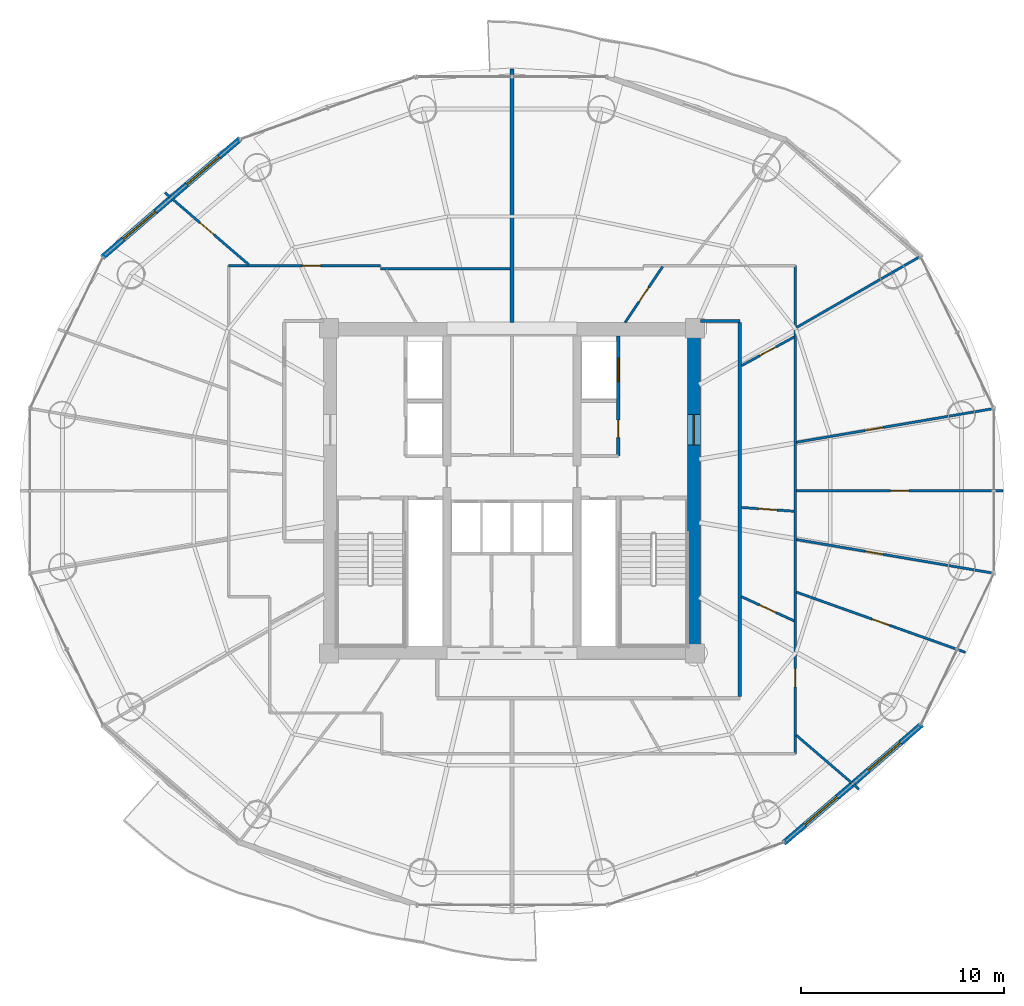
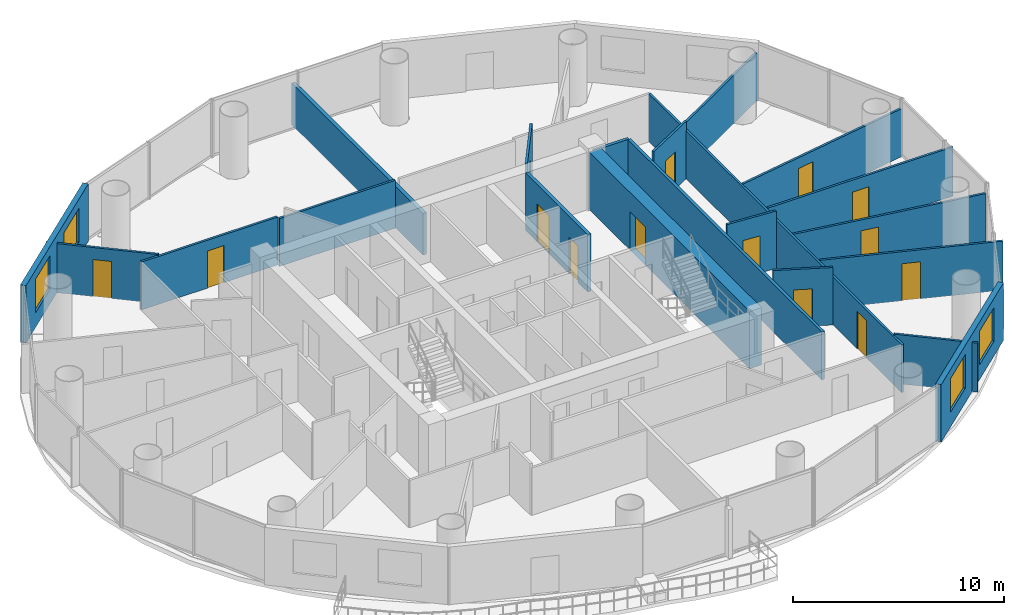
# One storey, part 22 of 26: 21 walls, 14 doors, 4 windows, 18 openings.
"""IFC4 building model written with IfcOpenShell, lengths in metres."""

from ifc_helpers import new_model, si_unit, direction, frame, frame_2d, origin, place, context, subcontext, project, spatial, rectangle, extrude, source, transform, mapped, material, layer, layer_set, type_object, element, fill, save


model = new_model("IFC4")

# Units and contexts
model_context = context("Model", 3, precision=1e-05, world=origin(), true_north=direction((-0.2419218956, 0.970295726276)))
body_context = subcontext(model_context, "Body", "Model", "MODEL_VIEW")
ifc_project = project(units=[si_unit("LENGTHUNIT", "METRE"), si_unit("AREAUNIT", "SQUARE_METRE"), si_unit("VOLUMEUNIT", "CUBIC_METRE"), si_unit("PLANEANGLEUNIT", "RADIAN"), si_unit("MASSUNIT", "GRAM", prefix="KILO")], contexts=[model_context])

# Site, building, storey
site_placement = place(None, origin())
site = spatial("IfcSite", under=ifc_project, at=site_placement, CompositionType="ELEMENT")
building_placement = place(site_placement, origin())
building = spatial("IfcBuilding", under=site, at=building_placement, Name="Cobrevalo Terracotta Tower", CompositionType="ELEMENT")
storey_placement = place(building_placement, frame((0.0, 0.0, 175.0)))
storey = spatial("IfcBuildingStorey", under=building, at=storey_placement, Name="L46", CompositionType="ELEMENT", Elevation=175.0)

# Wall, opening, door
ifc_material_1 = material(Name="Concrete C55", Category="concrete")
ifc_layer_1 = layer(ifc_material_1, 0.64990234375)
ifc_layer_set_1 = layer_set([ifc_layer_1], Name="Concrete C55")
wall_type_1 = type_object("IfcWallType", Name="Core shear wall 650 mm Concrete C55", PredefinedType="SHEAR", material=ifc_layer_set_1)
wall_1_placement = place(storey_placement, frame((46.949951171875, 19.175048828125, 0.0), z_axis=(0.0, 0.0, 1.0), x_axis=(0.0, 1.0, 0.0)))
wall_1 = element("IfcWall", 1, at=wall_1_placement, inside=storey, type_object=wall_type_1, Name="L46 east core shear wall", PredefinedType="SHEAR", context=body_context, shape_type="SweptSolid", body=[
    extrude(rectangle(XDim=15.25, YDim=0.64990234375, at=frame_2d((7.625, 0.0))), origin(), (0.0, 0.0, 1.0), 3.330078125),
])
opening_1_placement = place(wall_1_placement, frame((9.875, 0.0, 0.0)))
opening_1 = element("IfcOpeningElement", 2, at=opening_1_placement, cuts=wall_1, Name="Opening ID-14", PredefinedType="OPENING", context=body_context, shape_type="SweptSolid", body=[
    extrude(rectangle(XDim=1.5, YDim=2.199951171875, at=frame_2d((0.75, 1.10009765625))), frame((0.0, 0.3349609375, 0.0), z_axis=(0.0, -1.0, 0.0), x_axis=(1.0, 0.0, 0.0)), (0.0, 0.0, 1.0), 0.669921875),
])
ifc_material_2 = material(Name="Galvanized fire-rated steel", Category="steel")
door_type_1 = type_object("IfcDoorType", Name="Core cross-lobby double fire door 1500x2200 EI 90", OperationType="NOTDEFINED", PredefinedType="DOOR", material=ifc_material_2)
shared_shape_1 = source(origin(), body_context, "Body", "SweptSolid", [
    extrude(rectangle(XDim=1.5, YDim=2.199951171875, at=frame_2d((0.75, 1.10009765625))), frame((0.0, 0.02490234375, 0.0), z_axis=(0.0, -1.0, 0.0), x_axis=(1.0, 0.0, 0.0)), (0.0, 0.0, 1.0), 0.050048828125),
])
door_1_placement = place(opening_1_placement, frame((1.5, 0.0, 0.0), z_axis=(0.0, 0.0, 1.0), x_axis=(-1.0, 0.0, 0.0)))
door_1 = element("IfcDoor", 3, at=door_1_placement, inside=storey, type_object=door_type_1, Name="L46 east firefighting lobby entrance door", OperationType="DOUBLE_DOOR_SINGLE_SWING", OverallHeight=2.199951171875, OverallWidth=1.5, PredefinedType="DOOR", context=body_context, shape_type="MappedRepresentation", body=[
    mapped(shared_shape_1, transform((0.0, 0.0, 0.0), scale=1.0)),
])
fill(opening_1, door_1)

# Walls
ifc_material_3 = material(Name="Gypsum board on steel stud", Category="steel")
ifc_layer_2 = layer(ifc_material_3, 0.159912109375)
ifc_layer_set_2 = layer_set([ifc_layer_2], Name="Gypsum board on steel stud")
wall_type_2 = type_object("IfcWallType", Name="Fire-rated corridor acoustic partition wall 160 mm", PredefinedType="PARTITIONING", material=ifc_layer_set_2)
wall_2_placement = place(storey_placement, frame((49.205078125, 16.675048828125, 0.0), z_axis=(0.0, 0.0, 1.0), x_axis=(0.0, 1.0, 0.0)))
element("IfcWall", 4, at=wall_2_placement, inside=storey, type_object=wall_type_2, Name="L46 interior partition IW-L46-COR-E", PredefinedType="PARTITIONING", context=body_context, shape_type="SweptSolid", body=[
    extrude(rectangle(XDim=18.39990234375, YDim=0.159912109375, at=frame_2d((9.199951171875, 0.0))), origin(), (0.0, 0.0, 1.0), 2.77587890625),
])
wall_3_placement = place(storey_placement, frame((47.27490234375, 35.155029296875, 0.0), z_axis=(0.0, 0.0, 1.0), x_axis=(1.0, 0.0, 0.0)))
element("IfcWall", 5, at=wall_3_placement, inside=storey, type_object=wall_type_2, Name="L46 interior partition IW-L46-COR-EN-CAP", PredefinedType="PARTITIONING", context=body_context, shape_type="SweptSolid", body=[
    extrude(rectangle(XDim=1.93017578125, YDim=0.159912109375, at=frame_2d((0.965087890625, 0.0))), origin(), (0.0, 0.0, 1.0), 2.77587890625),
])

# Wall, openings, doors
ifc_layer_3 = layer(ifc_material_3, 0.179931640625)
ifc_layer_set_3 = layer_set([ifc_layer_3], Name="Gypsum board on steel stud")
wall_type_3 = type_object("IfcWallType", Name="Fire-rated shaft & lobby acoustic partition wall 180 mm", PredefinedType="PARTITIONING", material=ifc_layer_set_3)
wall_4_placement = place(storey_placement, frame((43.22998046875, 28.52001953125, 0.0), z_axis=(0.0, 0.0, 1.0), x_axis=(0.0, 1.0, 0.0)))
wall_4 = element("IfcWall", 6, at=wall_4_placement, inside=storey, type_object=wall_type_3, Name="L46 interior partition IW-L46-FF2-E", PredefinedType="PARTITIONING", context=body_context, shape_type="SweptSolid", body=[
    extrude(rectangle(XDim=5.905029296875, YDim=0.179931640625, at=frame_2d((2.95263671875, 0.0))), origin(), (0.0, 0.0, 1.0), 3.330078125),
])
opening_2_placement = place(wall_4_placement, frame((0.905029296875, 0.0, 0.0)))
opening_2 = element("IfcOpeningElement", 7, at=opening_2_placement, cuts=wall_4, Name="Opening ID-22", PredefinedType="OPENING", context=body_context, shape_type="SweptSolid", body=[
    extrude(rectangle(XDim=0.85009765625, YDim=2.10009765625, at=frame_2d((0.425048828125, 1.050048828125))), frame((0.0, 0.10009765625, 0.0), z_axis=(0.0, -1.0, 0.0), x_axis=(1.0, 0.0, 0.0)), (0.0, 0.0, 1.0), 0.199951171875),
])
opening_3_placement = place(wall_4_placement, frame((3.655029296875, 0.0, 0.0)))
opening_3 = element("IfcOpeningElement", 8, at=opening_3_placement, cuts=wall_4, Name="Opening LD-02", PredefinedType="OPENING", context=body_context, shape_type="SweptSolid", body=[
    extrude(rectangle(XDim=1.14990234375, YDim=2.199951171875, at=frame_2d((0.574951171875, 1.10009765625))), frame((0.0, 0.10009765625, 0.0), z_axis=(0.0, -1.0, 0.0), x_axis=(1.0, 0.0, 0.0)), (0.0, 0.0, 1.0), 0.199951171875),
])
ifc_material_4 = material(Name="Powder-coated steel", Category="steel")
door_type_2 = type_object("IfcDoorType", Name="Riser shaft & meter closet fire access door 850x2100 EI 60", OperationType="NOTDEFINED", PredefinedType="DOOR", material=ifc_material_4)
shared_shape_2 = source(origin(), body_context, "Body", "SweptSolid", [
    extrude(rectangle(XDim=0.85009765625, YDim=2.10009765625, at=frame_2d((0.425048828125, 1.050048828125))), frame((0.0, 0.02490234375, 0.0), z_axis=(0.0, -1.0, 0.0), x_axis=(1.0, 0.0, 0.0)), (0.0, 0.0, 1.0), 0.050048828125),
])
door_2_placement = place(opening_2_placement, frame((0.85009765625, 0.0, 0.0), z_axis=(0.0, 0.0, 1.0), x_axis=(-1.0, 0.0, 0.0)))
door_2 = element("IfcDoor", 9, at=door_2_placement, inside=storey, type_object=door_type_2, Name="L46 housekeeping store door", OperationType="SINGLE_SWING_RIGHT", OverallHeight=2.10009765625, OverallWidth=0.85009765625, PredefinedType="DOOR", context=body_context, shape_type="MappedRepresentation", body=[
    mapped(shared_shape_2, transform((0.0, 0.0, 0.0), scale=1.0)),
])
fill(opening_2, door_2)
ifc_material_5 = material(Name="Brushed stainless steel", Category="steel")
door_type_3 = type_object("IfcDoorType", Name="Firefighting lift landing bi-parting sliding door 1150x2200 EI 120", OperationType="DOUBLE_DOOR_SLIDING", PredefinedType="DOOR", material=ifc_material_5)
shared_shape_3 = source(origin(), body_context, "Body", "SweptSolid", [
    extrude(rectangle(XDim=1.14990234375, YDim=2.199951171875, at=frame_2d((0.574951171875, 1.10009765625))), frame((0.0, 0.02490234375, 0.0), z_axis=(0.0, -1.0, 0.0), x_axis=(1.0, 0.0, 0.0)), (0.0, 0.0, 1.0), 0.050048828125),
])
door_3_placement = place(opening_3_placement, origin())
door_3 = element("IfcDoor", 10, at=door_3_placement, inside=storey, type_object=door_type_3, Name="L46 lift landing door FF-2", OperationType="DOUBLE_DOOR_SLIDING", OverallHeight=2.199951171875, OverallWidth=1.14990234375, PredefinedType="DOOR", context=body_context, shape_type="MappedRepresentation", body=[
    mapped(shared_shape_3, transform((0.0, 0.0, 0.0), scale=1.0)),
])
fill(opening_3, door_3)

# Wall
ifc_material_6 = material(Name="Autoclaved aerated concrete block", Category="concrete")
ifc_layer_4 = layer(ifc_material_6, 0.199951171875)
ifc_layer_set_4 = layer_set([ifc_layer_4], Name="Autoclaved aerated concrete block")
wall_type_4 = type_object("IfcWallType", Name="Fire-rated stair, shaft & demising masonry wall 200 mm", PredefinedType="PARTITIONING", material=ifc_layer_set_4)
wall_5_placement = place(storey_placement, frame((38.0, 35.074951171875, 0.0), z_axis=(0.0, 0.0, 1.0), x_axis=(0.0, 1.0, 0.0)))
element("IfcWall", 11, at=wall_5_placement, inside=storey, type_object=wall_type_4, Name="L46 interior partition IW-L46-DEM-1", PredefinedType="PARTITIONING", context=body_context, shape_type="SweptSolid", body=[
    extrude(rectangle(XDim=12.465087890625, YDim=0.199951171875, at=frame_2d((6.232421875, 0.0))), origin(), (0.0, 0.0, 1.0), 2.4150390625),
])

# Wall, openings, windows
ifc_layer_5 = layer(ifc_material_6, 0.280029296875)
ifc_layer_set_5 = layer_set([ifc_layer_5], Name="Autoclaved aerated concrete block")
wall_type_5 = type_object("IfcWallType", Name="Insulated tower spandrel & pier wall 280 mm with terracotta rainscreen", PredefinedType="SOLIDWALL", material=ifc_layer_set_5)
wall_6_placement = place(storey_placement, frame((24.632568359375, 44.121826171875, 0.0), z_axis=(0.0, 0.0, 1.0), x_axis=(-0.75843401647, -0.651749831348, 0.0)))
wall_6 = element("IfcWall", 12, at=wall_6_placement, inside=storey, type_object=wall_type_5, Name="L46 terracotta rainscreen pier wall S06", PredefinedType="SOLIDWALL", context=body_context, shape_type="SweptSolid", body=[
    extrude(rectangle(XDim=8.952392578125, YDim=0.280029296875, at=frame_2d((4.47607421875, 0.0))), origin(), (0.0, 0.0, 1.0), 3.330078125),
])
opening_4_placement = place(wall_6_placement, frame((1.3671875, 0.0, 0.85009765625)))
opening_4 = element("IfcOpeningElement", 13, at=opening_4_placement, cuts=wall_6, Name="Opening WN-10", PredefinedType="OPENING", context=body_context, shape_type="SweptSolid", body=[
    extrude(rectangle(XDim=2.10009765625, YDim=1.949951171875, at=frame_2d((1.050048828125, 0.97509765625))), frame((0.0, 0.14990234375, 0.0), z_axis=(0.0, -1.0, 0.0), x_axis=(1.0, 0.0, 0.0)), (0.0, 0.0, 1.0), 0.300048828125),
])
opening_5_placement = place(wall_6_placement, frame((5.4853515625, 0.0, 0.85009765625)))
opening_5 = element("IfcOpeningElement", 14, at=opening_5_placement, cuts=wall_6, Name="Opening WN-10", PredefinedType="OPENING", context=body_context, shape_type="SweptSolid", body=[
    extrude(rectangle(XDim=2.10009765625, YDim=1.949951171875, at=frame_2d((1.050048828125, 0.97509765625))), frame((0.0, 0.14990234375, 0.0), z_axis=(0.0, -1.0, 0.0), x_axis=(1.0, 0.0, 0.0)), (0.0, 0.0, 1.0), 0.300048828125),
])
ifc_material_7 = material(Name="Solar-control low-E double glazing", Category="glass")
window_type = type_object("IfcWindowType", Name="Wide panoramic low-E aluminium window 2100x1950", PartitioningType="SINGLE_PANEL", PredefinedType="WINDOW", material=ifc_material_7)
shared_shape_4 = source(origin(), body_context, "Body", "SweptSolid", [
    extrude(rectangle(XDim=2.10009765625, YDim=1.949951171875, at=frame_2d((1.050048828125, 0.97509765625))), frame((0.0, 0.030029296875, 0.0), z_axis=(0.0, -1.0, 0.0), x_axis=(1.0, 0.0, 0.0)), (0.0, 0.0, 1.0), 0.06005859375),
])
window_1_placement = place(opening_4_placement, origin())
window_1 = element("IfcWindow", 15, at=window_1_placement, inside=storey, type_object=window_type, Name="L46 suite window S06A", OverallHeight=1.949951171875, OverallWidth=2.10009765625, PartitioningType="SINGLE_PANEL", PredefinedType="WINDOW", context=body_context, shape_type="MappedRepresentation", body=[
    mapped(shared_shape_4, transform((0.0, 0.0, 0.0), scale=1.0)),
])
fill(opening_4, window_1)
window_2_placement = place(opening_5_placement, origin())
window_2 = element("IfcWindow", 16, at=window_2_placement, inside=storey, type_object=window_type, Name="L46 suite window S06B", OverallHeight=1.949951171875, OverallWidth=2.10009765625, PartitioningType="SINGLE_PANEL", PredefinedType="WINDOW", context=body_context, shape_type="MappedRepresentation", body=[
    mapped(shared_shape_4, transform((0.0, 0.0, 0.0), scale=1.0)),
])
fill(opening_5, window_2)

wall_7_placement = place(storey_placement, frame((51.367431640625, 9.478271484375, 0.0), z_axis=(0.0, 0.0, 1.0), x_axis=(0.75843401647, 0.651749831348, 0.0)))
wall_7 = element("IfcWall", 17, at=wall_7_placement, inside=storey, type_object=wall_type_5, Name="L46 terracotta rainscreen pier wall S14", PredefinedType="SOLIDWALL", context=body_context, shape_type="SweptSolid", body=[
    extrude(rectangle(XDim=8.952392578125, YDim=0.280029296875, at=frame_2d((4.47607421875, 0.0))), origin(), (0.0, 0.0, 1.0), 3.330078125),
])
opening_6_placement = place(wall_7_placement, frame((1.3671875, 0.0, 0.85009765625)))
opening_6 = element("IfcOpeningElement", 18, at=opening_6_placement, cuts=wall_7, Name="Opening WN-10", PredefinedType="OPENING", context=body_context, shape_type="SweptSolid", body=[
    extrude(rectangle(XDim=2.10009765625, YDim=1.949951171875, at=frame_2d((1.050048828125, 0.97509765625))), frame((0.0, 0.14990234375, 0.0), z_axis=(0.0, -1.0, 0.0), x_axis=(1.0, 0.0, 0.0)), (0.0, 0.0, 1.0), 0.300048828125),
])
opening_7_placement = place(wall_7_placement, frame((5.4853515625, 0.0, 0.85009765625)))
opening_7 = element("IfcOpeningElement", 19, at=opening_7_placement, cuts=wall_7, Name="Opening WN-10", PredefinedType="OPENING", context=body_context, shape_type="SweptSolid", body=[
    extrude(rectangle(XDim=2.10009765625, YDim=1.949951171875, at=frame_2d((1.050048828125, 0.97509765625))), frame((0.0, 0.14990234375, 0.0), z_axis=(0.0, -1.0, 0.0), x_axis=(1.0, 0.0, 0.0)), (0.0, 0.0, 1.0), 0.300048828125),
])
window_3_placement = place(opening_6_placement, origin())
window_3 = element("IfcWindow", 20, at=window_3_placement, inside=storey, type_object=window_type, Name="L46 suite window S14A", OverallHeight=1.949951171875, OverallWidth=2.10009765625, PartitioningType="SINGLE_PANEL", PredefinedType="WINDOW", context=body_context, shape_type="MappedRepresentation", body=[
    mapped(shared_shape_4, transform((0.0, 0.0, 0.0), scale=1.0)),
])
fill(opening_6, window_3)
window_4_placement = place(opening_7_placement, origin())
window_4 = element("IfcWindow", 21, at=window_4_placement, inside=storey, type_object=window_type, Name="L46 suite window S14B", OverallHeight=1.949951171875, OverallWidth=2.10009765625, PartitioningType="SINGLE_PANEL", PredefinedType="WINDOW", context=body_context, shape_type="MappedRepresentation", body=[
    mapped(shared_shape_4, transform((0.0, 0.0, 0.0), scale=1.0)),
])
fill(opening_7, window_4)

# Wall, opening, door
ifc_layer_6 = layer(ifc_material_3, 0.1201171875)
ifc_layer_set_6 = layer_set([ifc_layer_6], Name="Gypsum board on steel stud")
wall_type_6 = type_object("IfcWallType", Name="Residential internal acoustic stud partition 120 mm", PredefinedType="PARTITIONING", material=ifc_layer_set_6)
wall_8_placement = place(storey_placement, frame((24.06494140625, 37.885009765625, 0.0), z_axis=(0.0, 0.0, 1.0), x_axis=(1.0, 0.0, 0.0)))
wall_8 = element("IfcWall", 22, at=wall_8_placement, inside=storey, type_object=wall_type_6, Name="L46 interior partition IW-L46-U1-RING6_0", PredefinedType="PARTITIONING", context=body_context, shape_type="SweptSolid", body=[
    extrude(rectangle(XDim=7.469970703125, YDim=0.1201171875, at=frame_2d((3.73486328125, 0.0))), origin(), (0.0, 0.0, 1.0), 2.77587890625),
])
opening_8_placement = place(wall_8_placement, frame((3.619873046875, 0.0, 0.0)))
opening_8 = element("IfcOpeningElement", 23, at=opening_8_placement, cuts=wall_8, Name="Opening ID-12", PredefinedType="OPENING", context=body_context, shape_type="SweptSolid", body=[
    extrude(rectangle(XDim=0.89990234375, YDim=2.14990234375, at=frame_2d((0.449951171875, 1.074951171875))), frame((0.0, 0.070068359375, 0.0), z_axis=(0.0, -1.0, 0.0), x_axis=(1.0, 0.0, 0.0)), (0.0, 0.0, 1.0), 0.14013671875),
])
ifc_material_8 = material(Name="Engineered timber", Category="wood")
door_type_4 = type_object("IfcDoorType", Name="Internal residence & suite timber door 900x2150", OperationType="NOTDEFINED", PredefinedType="DOOR", material=ifc_material_8)
shared_shape_5 = source(origin(), body_context, "Body", "SweptSolid", [
    extrude(rectangle(XDim=0.89990234375, YDim=2.14990234375, at=frame_2d((0.449951171875, 1.074951171875))), frame((0.0, 0.02490234375, 0.0), z_axis=(0.0, -1.0, 0.0), x_axis=(1.0, 0.0, 0.0)), (0.0, 0.0, 1.0), 0.050048828125),
])
door_4_placement = place(opening_8_placement, origin())
door_4 = element("IfcDoor", 24, at=door_4_placement, inside=storey, type_object=door_type_4, Name="Flat L46A Penthouse Living and Dining Room internal door", OperationType="SINGLE_SWING_LEFT", OverallHeight=2.14990234375, OverallWidth=0.89990234375, PredefinedType="DOOR", context=body_context, shape_type="MappedRepresentation", body=[
    mapped(shared_shape_5, transform((0.0, 0.0, 0.0), scale=1.0)),
])
fill(opening_8, door_4)

# Wall
wall_9_placement = place(storey_placement, frame((31.534912109375, 37.72509765625, 0.0), z_axis=(0.0, 0.0, 1.0), x_axis=(1.0, 0.0, 0.0)))
element("IfcWall", 25, at=wall_9_placement, inside=storey, type_object=wall_type_6, Name="L46 interior partition IW-L46-U1-RING8_0", PredefinedType="PARTITIONING", context=body_context, shape_type="SweptSolid", body=[
    extrude(rectangle(XDim=6.363037109375, YDim=0.1201171875, at=frame_2d((3.181640625, 0.0))), origin(), (0.0, 0.0, 1.0), 2.77587890625),
])

# Wall, opening, door
wall_10_placement = place(storey_placement, frame((25.055908203125, 37.92529296875, 0.0), z_axis=(0.0, 0.0, 1.0), x_axis=(-0.758354915574, 0.65184186888, 0.0)))
wall_10 = element("IfcWall", 26, at=wall_10_placement, inside=storey, type_object=wall_type_6, Name="L46 interior partition IW-L46-U1-ORAD1", PredefinedType="PARTITIONING", context=body_context, shape_type="SweptSolid", body=[
    extrude(rectangle(XDim=5.432373046875, YDim=0.1201171875, at=frame_2d((2.71630859375, 0.0))), origin(), (0.0, 0.0, 1.0), 2.845947265625),
])
opening_9_placement = place(wall_10_placement, frame((2.26611328125, 0.0, 0.0)))
opening_9 = element("IfcOpeningElement", 27, at=opening_9_placement, cuts=wall_10, Name="Opening ID-12", PredefinedType="OPENING", context=body_context, shape_type="SweptSolid", body=[
    extrude(rectangle(XDim=0.89990234375, YDim=2.14990234375, at=frame_2d((0.449951171875, 1.074951171875))), frame((0.0, 0.070068359375, 0.0), z_axis=(0.0, -1.0, 0.0), x_axis=(1.0, 0.0, 0.0)), (0.0, 0.0, 1.0), 0.14013671875),
])
door_5_placement = place(opening_9_placement, origin())
door_5 = element("IfcDoor", 28, at=door_5_placement, inside=storey, type_object=door_type_4, Name="Flat L46A Master Bedroom internal door", OperationType="SINGLE_SWING_RIGHT", OverallHeight=2.14990234375, OverallWidth=0.89990234375, PredefinedType="DOOR", context=body_context, shape_type="MappedRepresentation", body=[
    mapped(shared_shape_5, transform((0.0, 0.0, 0.0), scale=1.0)),
])
fill(opening_9, door_5)

wall_11_placement = place(storey_placement, frame((51.93505859375, 37.885009765625, 0.0), z_axis=(0.0, 0.0, 1.0), x_axis=(0.0, -1.0, 0.0)))
wall_11 = element("IfcWall", 29, at=wall_11_placement, inside=storey, type_object=wall_type_6, Name="L46 interior partition IW-L46-U2-RING3_0", PredefinedType="PARTITIONING", context=body_context, shape_type="SweptSolid", body=[
    extrude(rectangle(XDim=24.02001953125, YDim=0.1201171875, at=frame_2d((12.010009765625, 0.0))), origin(), (0.0, 0.0, 1.0), 2.77587890625),
])
opening_10_placement = place(wall_11_placement, frame((19.82080078125, 0.0, 0.0)))
opening_10 = element("IfcOpeningElement", 30, at=opening_10_placement, cuts=wall_11, Name="Opening ID-12", PredefinedType="OPENING", context=body_context, shape_type="SweptSolid", body=[
    extrude(rectangle(XDim=0.89990234375, YDim=2.14990234375, at=frame_2d((0.449951171875, 1.074951171875))), frame((0.0, 0.070068359375, 0.0), z_axis=(0.0, -1.0, 0.0), x_axis=(1.0, 0.0, 0.0)), (0.0, 0.0, 1.0), 0.14013671875),
])
door_6_placement = place(opening_10_placement, origin())
door_6 = element("IfcDoor", 31, at=door_6_placement, inside=storey, type_object=door_type_4, Name="Flat L46B Master Bedroom internal door", OperationType="SINGLE_SWING_RIGHT", OverallHeight=2.14990234375, OverallWidth=0.89990234375, PredefinedType="DOOR", context=body_context, shape_type="MappedRepresentation", body=[
    mapped(shared_shape_5, transform((0.0, 0.0, 0.0), scale=1.0)),
])
fill(opening_10, door_6)

# Wall
wall_12_placement = place(storey_placement, frame((51.98193359375, 14.782470703125, 0.0), z_axis=(0.0, 0.0, 1.0), x_axis=(0.758356837469, -0.651839632935, 0.0)))
element("IfcWall", 32, at=wall_12_placement, inside=storey, type_object=wall_type_6, Name="L46 interior partition IW-L46-U2-ORAD1", PredefinedType="PARTITIONING", context=body_context, shape_type="SweptSolid", body=[
    extrude(rectangle(XDim=4.063720703125, YDim=0.1201171875, at=frame_2d((2.03173828125, 0.0))), origin(), (0.0, 0.0, 1.0), 2.845947265625),
])

# Wall, opening, door
wall_13_placement = place(storey_placement, frame((51.993408203125, 21.818115234375, 0.0), z_axis=(0.0, 0.0, 1.0), x_axis=(0.942077868165, -0.335394231187, 0.0)))
wall_13 = element("IfcWall", 33, at=wall_13_placement, inside=storey, type_object=wall_type_6, Name="L46 interior partition IW-L46-U2-ORAD2", PredefinedType="PARTITIONING", context=body_context, shape_type="SweptSolid", body=[
    extrude(rectangle(XDim=8.816650390625, YDim=0.1201171875, at=frame_2d((4.408203125, 0.0))), origin(), (0.0, 0.0, 1.0), 2.845947265625),
])
opening_11_placement = place(wall_13_placement, frame((3.95849609375, 0.0, 0.0)))
opening_11 = element("IfcOpeningElement", 34, at=opening_11_placement, cuts=wall_13, Name="Opening ID-12", PredefinedType="OPENING", context=body_context, shape_type="SweptSolid", body=[
    extrude(rectangle(XDim=0.89990234375, YDim=2.14990234375, at=frame_2d((0.449951171875, 1.074951171875))), frame((0.0, 0.070068359375, 0.0), z_axis=(0.0, -1.0, 0.0), x_axis=(1.0, 0.0, 0.0)), (0.0, 0.0, 1.0), 0.14013671875),
])
door_7_placement = place(opening_11_placement, origin())
door_7 = element("IfcDoor", 35, at=door_7_placement, inside=storey, type_object=door_type_4, Name="Flat L46B Principal Guest Bedroom internal door", OperationType="SINGLE_SWING_LEFT", OverallHeight=2.14990234375, OverallWidth=0.89990234375, PredefinedType="DOOR", context=body_context, shape_type="MappedRepresentation", body=[
    mapped(shared_shape_5, transform((0.0, 0.0, 0.0), scale=1.0)),
])
fill(opening_11, door_7)

wall_14_placement = place(storey_placement, frame((51.99609375, 24.4072265625, 0.0), z_axis=(0.0, 0.0, 1.0), x_axis=(0.985698378271, -0.168519159369, 0.0)))
wall_14 = element("IfcWall", 36, at=wall_14_placement, inside=storey, type_object=wall_type_6, Name="L46 interior partition IW-L46-U2-ORAD3M1", PredefinedType="PARTITIONING", context=body_context, shape_type="SweptSolid", body=[
    extrude(rectangle(XDim=9.768798828125, YDim=0.1201171875, at=frame_2d((4.88427734375, 0.0))), origin(), (0.0, 0.0, 1.0), 2.77587890625),
])
opening_12_placement = place(wall_14_placement, frame((3.427734375, 0.0, 0.0)))
opening_12 = element("IfcOpeningElement", 37, at=opening_12_placement, cuts=wall_14, Name="Opening ID-12", PredefinedType="OPENING", context=body_context, shape_type="SweptSolid", body=[
    extrude(rectangle(XDim=0.89990234375, YDim=2.14990234375, at=frame_2d((0.449951171875, 1.074951171875))), frame((0.0, 0.070068359375, 0.0), z_axis=(0.0, -1.0, 0.0), x_axis=(1.0, 0.0, 0.0)), (0.0, 0.0, 1.0), 0.14013671875),
])
door_8_placement = place(opening_12_placement, origin())
door_8 = element("IfcDoor", 38, at=door_8_placement, inside=storey, type_object=door_type_4, Name="Flat L46B North Bedroom internal door", OperationType="SINGLE_SWING_RIGHT", OverallHeight=2.14990234375, OverallWidth=0.89990234375, PredefinedType="DOOR", context=body_context, shape_type="MappedRepresentation", body=[
    mapped(shared_shape_5, transform((0.0, 0.0, 0.0), scale=1.0)),
])
fill(opening_12, door_8)

wall_15_placement = place(storey_placement, frame((51.9970703125, 26.800048828125, 0.0), z_axis=(0.0, 0.0, 1.0), x_axis=(1.0, 0.0, 0.0)))
wall_15 = element("IfcWall", 39, at=wall_15_placement, inside=storey, type_object=wall_type_6, Name="L46 interior partition IW-L46-U2-ORAD3", PredefinedType="PARTITIONING", context=body_context, shape_type="SweptSolid", body=[
    extrude(rectangle(XDim=10.142822265625, YDim=0.1201171875, at=frame_2d((5.0712890625, 0.0))), origin(), (0.0, 0.0, 1.0), 2.845947265625),
])
opening_13_placement = place(wall_15_placement, frame((4.62158203125, 0.0, 0.0)))
opening_13 = element("IfcOpeningElement", 40, at=opening_13_placement, cuts=wall_15, Name="Opening ID-12", PredefinedType="OPENING", context=body_context, shape_type="SweptSolid", body=[
    extrude(rectangle(XDim=0.89990234375, YDim=2.14990234375, at=frame_2d((0.449951171875, 1.074951171875))), frame((0.0, 0.070068359375, 0.0), z_axis=(0.0, -1.0, 0.0), x_axis=(1.0, 0.0, 0.0)), (0.0, 0.0, 1.0), 0.14013671875),
])
door_9_placement = place(opening_13_placement, origin())
door_9 = element("IfcDoor", 41, at=door_9_placement, inside=storey, type_object=door_type_4, Name="Flat L46B South Bedroom internal door", OperationType="SINGLE_SWING_LEFT", OverallHeight=2.14990234375, OverallWidth=0.89990234375, PredefinedType="DOOR", context=body_context, shape_type="MappedRepresentation", body=[
    mapped(shared_shape_5, transform((0.0, 0.0, 0.0), scale=1.0)),
])
fill(opening_13, door_9)

wall_16_placement = place(storey_placement, frame((51.99609375, 29.19287109375, 0.0), z_axis=(0.0, 0.0, 1.0), x_axis=(0.985698378271, 0.168519159369, 0.0)))
wall_16 = element("IfcWall", 42, at=wall_16_placement, inside=storey, type_object=wall_type_6, Name="L46 interior partition IW-L46-U2-ORAD4M1", PredefinedType="PARTITIONING", context=body_context, shape_type="SweptSolid", body=[
    extrude(rectangle(XDim=9.768798828125, YDim=0.1201171875, at=frame_2d((4.88427734375, 0.0))), origin(), (0.0, 0.0, 1.0), 2.77587890625),
])
opening_14_placement = place(wall_16_placement, frame((3.42822265625, 0.0, 0.0)))
opening_14 = element("IfcOpeningElement", 43, at=opening_14_placement, cuts=wall_16, Name="Opening ID-12", PredefinedType="OPENING", context=body_context, shape_type="SweptSolid", body=[
    extrude(rectangle(XDim=0.89990234375, YDim=2.14990234375, at=frame_2d((0.449951171875, 1.074951171875))), frame((0.0, 0.070068359375, 0.0), z_axis=(0.0, -1.0, 0.0), x_axis=(1.0, 0.0, 0.0)), (0.0, 0.0, 1.0), 0.14013671875),
])
door_10_placement = place(opening_14_placement, origin())
door_10 = element("IfcDoor", 44, at=door_10_placement, inside=storey, type_object=door_type_4, Name="Flat L46B Penthouse Family Lounge internal door", OperationType="SINGLE_SWING_RIGHT", OverallHeight=2.14990234375, OverallWidth=0.89990234375, PredefinedType="DOOR", context=body_context, shape_type="MappedRepresentation", body=[
    mapped(shared_shape_5, transform((0.0, 0.0, 0.0), scale=1.0)),
])
fill(opening_14, door_10)

# Wall
wall_17_placement = place(storey_placement, frame((51.98876953125, 34.833740234375, 0.0), z_axis=(0.0, 0.0, 1.0), x_axis=(0.86717064002, 0.498011125466, 0.0)))
element("IfcWall", 45, at=wall_17_placement, inside=storey, type_object=wall_type_6, Name="L46 interior partition IW-L46-U2-ORAD4", PredefinedType="PARTITIONING", context=body_context, shape_type="SweptSolid", body=[
    extrude(rectangle(XDim=6.961181640625, YDim=0.1201171875, at=frame_2d((3.48046875, 0.0))), origin(), (0.0, 0.0, 1.0), 2.77587890625),
])

# Wall, opening, door
wall_18_placement = place(storey_placement, frame((49.286865234375, 21.598388671875, 0.0), z_axis=(0.0, 0.0, 1.0), x_axis=(0.908177096136, -0.418586146514, 0.0)))
wall_18 = element("IfcWall", 46, at=wall_18_placement, inside=storey, type_object=wall_type_6, Name="L46 interior partition IW-L46-U2-IRAD2", PredefinedType="PARTITIONING", context=body_context, shape_type="SweptSolid", body=[
    extrude(rectangle(XDim=2.853759765625, YDim=0.1201171875, at=frame_2d((1.4267578125, 0.0))), origin(), (0.0, 0.0, 1.0), 3.330078125),
])
opening_15_placement = place(wall_18_placement, frame((0.976806640625, 0.0, 0.0)))
opening_15 = element("IfcOpeningElement", 47, at=opening_15_placement, cuts=wall_18, Name="Opening ID-12", PredefinedType="OPENING", context=body_context, shape_type="SweptSolid", body=[
    extrude(rectangle(XDim=0.89990234375, YDim=2.14990234375, at=frame_2d((0.449951171875, 1.074951171875))), frame((0.0, 0.070068359375, 0.0), z_axis=(0.0, -1.0, 0.0), x_axis=(1.0, 0.0, 0.0)), (0.0, 0.0, 1.0), 0.14013671875),
])
door_11_placement = place(opening_15_placement, origin())
door_11 = element("IfcDoor", 48, at=door_11_placement, inside=storey, type_object=door_type_4, Name="Flat L46B Kitchen internal door", OperationType="SINGLE_SWING_RIGHT", OverallHeight=2.14990234375, OverallWidth=0.89990234375, PredefinedType="DOOR", context=body_context, shape_type="MappedRepresentation", body=[
    mapped(shared_shape_5, transform((0.0, 0.0, 0.0), scale=1.0)),
])
fill(opening_15, door_11)

wall_19_placement = place(storey_placement, frame((49.287109375, 25.9853515625, 0.0), z_axis=(0.0, 0.0, 1.0), x_axis=(0.997408744903, -0.07194300237, 0.0)))
wall_19 = element("IfcWall", 49, at=wall_19_placement, inside=storey, type_object=wall_type_6, Name="L46 interior partition IW-L46-U2-IRAD3", PredefinedType="PARTITIONING", context=body_context, shape_type="SweptSolid", body=[
    extrude(rectangle(XDim=2.5927734375, YDim=0.1201171875, at=frame_2d((1.29638671875, 0.0))), origin(), (0.0, 0.0, 1.0), 3.330078125),
])
opening_16_placement = place(wall_19_placement, frame((0.846435546875, 0.0, 0.0)))
opening_16 = element("IfcOpeningElement", 50, at=opening_16_placement, cuts=wall_19, Name="Opening ID-12", PredefinedType="OPENING", context=body_context, shape_type="SweptSolid", body=[
    extrude(rectangle(XDim=0.89990234375, YDim=2.14990234375, at=frame_2d((0.449951171875, 1.074951171875))), frame((0.0, 0.070068359375, 0.0), z_axis=(0.0, -1.0, 0.0), x_axis=(1.0, 0.0, 0.0)), (0.0, 0.0, 1.0), 0.14013671875),
])
door_12_placement = place(opening_16_placement, origin())
door_12 = element("IfcDoor", 51, at=door_12_placement, inside=storey, type_object=door_type_4, Name="Flat L46B Private Library Meeting Room internal door", OperationType="SINGLE_SWING_LEFT", OverallHeight=2.14990234375, OverallWidth=0.89990234375, PredefinedType="DOOR", context=body_context, shape_type="MappedRepresentation", body=[
    mapped(shared_shape_5, transform((0.0, 0.0, 0.0), scale=1.0)),
])
fill(opening_16, door_12)

wall_20_placement = place(storey_placement, frame((49.286865234375, 32.95654296875, 0.0), z_axis=(0.0, 0.0, 1.0), x_axis=(0.877892414948, 0.47885792024, 0.0)))
wall_20 = element("IfcWall", 52, at=wall_20_placement, inside=storey, type_object=wall_type_6, Name="L46 interior partition IW-L46-U2-IRAD4", PredefinedType="PARTITIONING", context=body_context, shape_type="SweptSolid", body=[
    extrude(rectangle(XDim=2.95458984375, YDim=0.1201171875, at=frame_2d((1.477294921875, 0.0))), origin(), (0.0, 0.0, 1.0), 3.330078125),
])
opening_17_placement = place(wall_20_placement, frame((1.02734375, 0.0, 0.0)))
opening_17 = element("IfcOpeningElement", 53, at=opening_17_placement, cuts=wall_20, Name="Opening ID-12", PredefinedType="OPENING", context=body_context, shape_type="SweptSolid", body=[
    extrude(rectangle(XDim=0.89990234375, YDim=2.14990234375, at=frame_2d((0.449951171875, 1.074951171875))), frame((0.0, 0.070068359375, 0.0), z_axis=(0.0, -1.0, 0.0), x_axis=(1.0, 0.0, 0.0)), (0.0, 0.0, 1.0), 0.14013671875),
])
door_13_placement = place(opening_17_placement, origin())
door_13 = element("IfcDoor", 54, at=door_13_placement, inside=storey, type_object=door_type_4, Name="Flat L46B Utility Closet internal door", OperationType="SINGLE_SWING_RIGHT", OverallHeight=2.14990234375, OverallWidth=0.89990234375, PredefinedType="DOOR", context=body_context, shape_type="MappedRepresentation", body=[
    mapped(shared_shape_5, transform((0.0, 0.0, 0.0), scale=1.0)),
])
fill(opening_17, door_13)

wall_21_placement = place(storey_placement, frame((43.55859375, 35.074951171875, 0.0), z_axis=(0.0, 0.0, 1.0), x_axis=(0.557612855606, 0.830101140381, 0.0)))
wall_21 = element("IfcWall", 55, at=wall_21_placement, inside=storey, type_object=wall_type_6, Name="L46 interior partition IW-L46-U2-IRAD5", PredefinedType="PARTITIONING", context=body_context, shape_type="SweptSolid", body=[
    extrude(rectangle(XDim=3.3232421875, YDim=0.1201171875, at=frame_2d((1.66162109375, 0.0))), origin(), (0.0, 0.0, 1.0), 3.330078125),
])
opening_18_placement = place(wall_21_placement, frame((1.231689453125, 0.0, 0.0)))
opening_18 = element("IfcOpeningElement", 56, at=opening_18_placement, cuts=wall_21, Name="Opening ID-19", PredefinedType="OPENING", context=body_context, shape_type="SweptSolid", body=[
    extrude(rectangle(XDim=0.860107421875, YDim=2.14990234375, at=frame_2d((0.43017578125, 1.074951171875))), frame((0.0, 0.070068359375, 0.0), z_axis=(0.0, -1.0, 0.0), x_axis=(1.0, 0.0, 0.0)), (0.0, 0.0, 1.0), 0.14013671875),
])
ifc_material_9 = material(Name="Moisture-sealed timber", Category="wood")
door_type_5 = type_object("IfcDoorType", Name="Suite bathroom internal timber door 860x2150", OperationType="NOTDEFINED", PredefinedType="DOOR", material=ifc_material_9)
shared_shape_6 = source(origin(), body_context, "Body", "SweptSolid", [
    extrude(rectangle(XDim=0.860107421875, YDim=2.14990234375, at=frame_2d((0.43017578125, 1.074951171875))), frame((0.0, 0.02490234375, 0.0), z_axis=(0.0, -1.0, 0.0), x_axis=(1.0, 0.0, 0.0)), (0.0, 0.0, 1.0), 0.050048828125),
])
door_14_placement = place(opening_18_placement, origin())
door_14 = element("IfcDoor", 57, at=door_14_placement, inside=storey, type_object=door_type_5, Name="Flat L46B Guest Bathroom internal door", OperationType="SINGLE_SWING_LEFT", OverallHeight=2.14990234375, OverallWidth=0.860107421875, PredefinedType="DOOR", context=body_context, shape_type="MappedRepresentation", body=[
    mapped(shared_shape_6, transform((0.0, 0.0, 0.0), scale=1.0)),
])
fill(opening_18, door_14)

save(model, "model.ifc")
